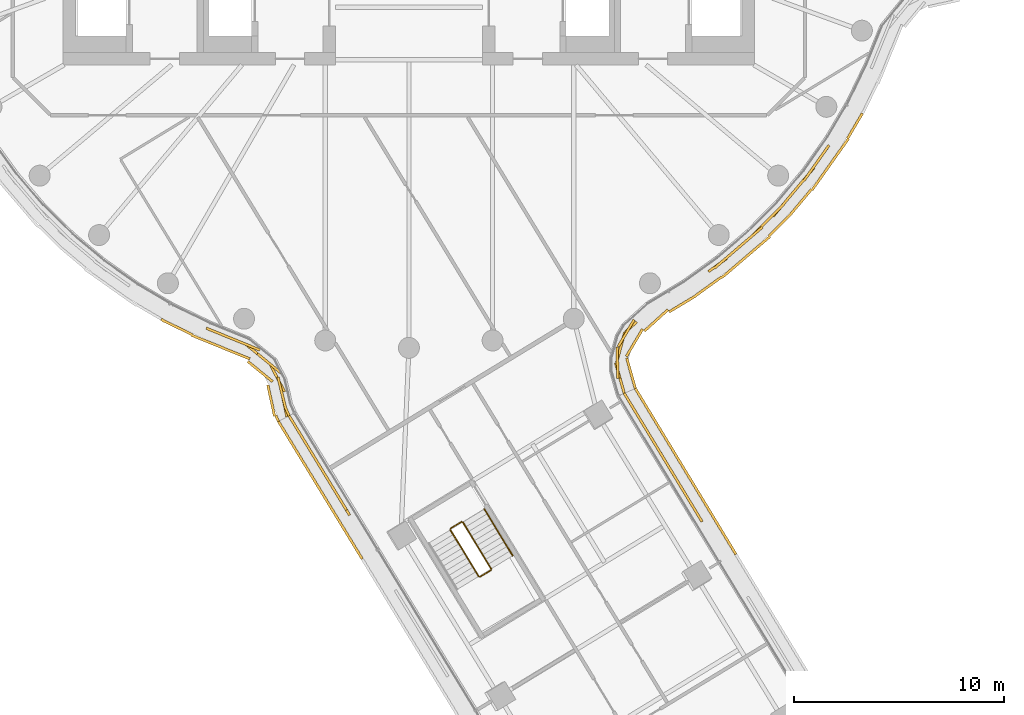
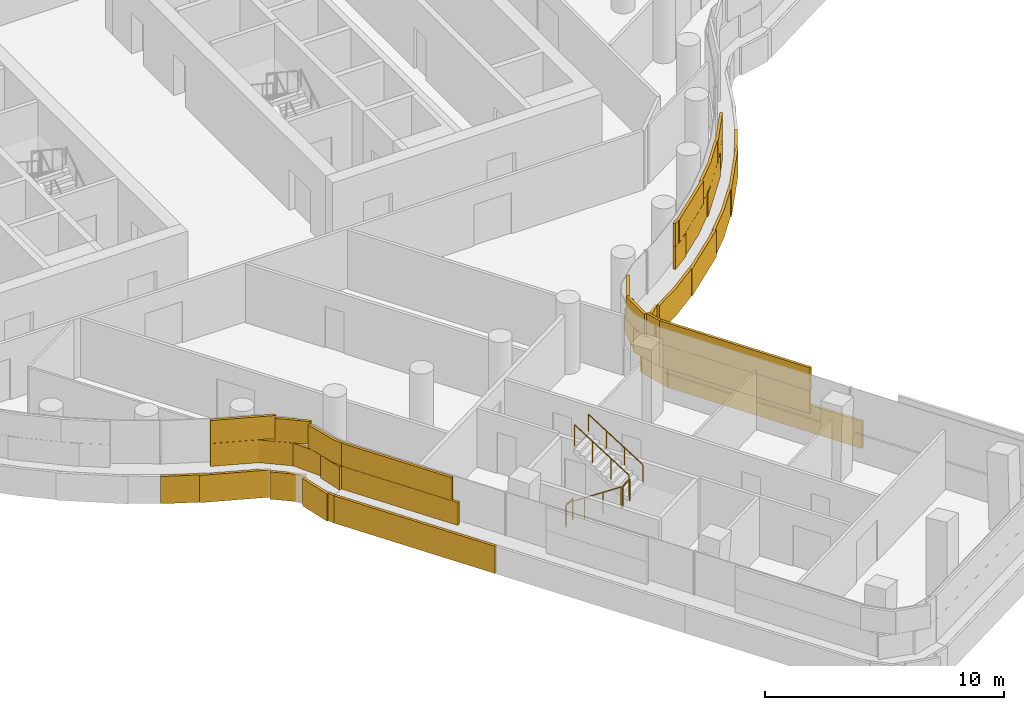
# One storey, part 28 of 35: 5 railings, 4 coverings.
"""IFC4 building model written with IfcOpenShell, lengths in metres."""

import ifcopenshell
import ifcopenshell.guid

model = None  # the IFC model being written
_history = None  # IfcOwnerHistory: only IFC2X3 demands one
_inside = {}  # id of a spatial element -> (the spatial element, [elements in it])
_under = {}  # id of a project, library or spatial element -> (it, [spatial elements below it])
_declared = {}  # id of a project -> (the project, [libraries it declares])
_typed = {}  # id of a type object -> (the type object, [elements of that type])
_made_of = {}  # id of a material, layer set ... -> (it, [elements and type objects made of it])


def new_model(schema):
    """Start an empty IFC model of exactly this schema.

    Asked for "IFC4X3", IfcOpenShell would pick the latest addendum, in which some entities
    have other attributes; the version numbers below select the first issue.
    IFC2X3 requires an IfcOwnerHistory on every rooted entity: one is made here for all.
    """
    global model, _history
    if schema == "IFC4X3":
        model = ifcopenshell.file(schema_version=(4, 3, 0, 0))
    else:
        model = ifcopenshell.file(schema=schema)
    _inside.clear()
    _under.clear()
    _declared.clear()
    _typed.clear()
    _made_of.clear()
    _history = None
    if model.schema == "IFC2X3":
        org = make("IfcOrganization", Name="unknown")
        user = make(
            "IfcPersonAndOrganization",
            ThePerson=make("IfcPerson", FamilyName="unknown"),
            TheOrganization=org,
        )
        app = make(
            "IfcApplication",
            ApplicationDeveloper=org,
            Version="unknown",
            ApplicationFullName="unknown",
            ApplicationIdentifier="unknown",
        )
        _history = make(
            "IfcOwnerHistory",
            OwningUser=user,
            OwningApplication=app,
            ChangeAction="ADDED",
            CreationDate=0,
        )
    return model


def make(cls, **values):
    """One entity of the class cls with the attributes given. An attribute that is None is left unset."""
    return model.create_entity(
        cls, **{name: value for name, value in values.items() if value is not None}
    )


def rooted(cls, **values):
    """An entity with a GlobalId (a new one), such as an element, a storey or a relation."""
    return make(cls, GlobalId=ifcopenshell.guid.new(), OwnerHistory=_history, **values)


def si_unit(unit_type, name, prefix=None):
    """IfcSIUnit, for example si_unit("LENGTHUNIT", "METRE", prefix="MILLI")."""
    return make("IfcSIUnit", UnitType=unit_type, Prefix=prefix, Name=name)


def assignment(units):
    """IfcUnitAssignment: the units of a project."""
    return None if units is None else make("IfcUnitAssignment", Units=units)


def point(xyz):
    """IfcCartesianPoint."""
    return None if xyz is None else make("IfcCartesianPoint", Coordinates=xyz)


def direction(xyz):
    """IfcDirection."""
    return None if xyz is None else make("IfcDirection", DirectionRatios=xyz)


def frame(location, z_axis=None, x_axis=None):
    """IfcAxis2Placement3D, a coordinate frame: its origin and axes. An axis left out is left unset."""
    return make(
        "IfcAxis2Placement3D",
        Location=point(location),
        Axis=direction(z_axis),
        RefDirection=direction(x_axis),
    )


def frame_2d(location, x_axis=None):
    """IfcAxis2Placement2D, a coordinate frame in the plane: its origin and x axis."""
    return make(
        "IfcAxis2Placement2D", Location=point(location), RefDirection=direction(x_axis)
    )


def origin():
    """The frame at (0, 0, 0) with its axes left unset."""
    return frame((0.0, 0.0, 0.0))


def origin_2d():
    """The frame at (0, 0) in the plane with its x axis left unset."""
    return frame_2d((0.0, 0.0))


def place(relative_to, where):
    """IfcLocalPlacement: puts the frame where relative to a parent placement (None: the world)."""
    return make(
        "IfcLocalPlacement", PlacementRelTo=relative_to, RelativePlacement=where
    )


def context(
    kind, dimensions, precision=None, world=None, true_north=None, identifier=None
):
    """IfcGeometricRepresentationContext, for example the 3D "Model" context."""
    return make(
        "IfcGeometricRepresentationContext",
        ContextIdentifier=identifier,
        ContextType=kind,
        CoordinateSpaceDimension=dimensions,
        Precision=precision,
        WorldCoordinateSystem=world,
        TrueNorth=true_north,
    )


def subcontext(parent, identifier, kind, view, scale=None):
    """IfcGeometricRepresentationSubContext, for example "Body" below "Model"."""
    return make(
        "IfcGeometricRepresentationSubContext",
        ContextIdentifier=identifier,
        ContextType=kind,
        ParentContext=parent,
        TargetScale=scale,
        TargetView=view,
    )


def project(units=None, contexts=None):
    """IfcProject with its units and contexts."""
    return rooted(
        "IfcProject",
        Name="project",
        RepresentationContexts=contexts,
        UnitsInContext=assignment(units),
    )


def spatial(cls, under=None, at=None, **own):
    """A site, building, storey or space (cls), placed at a placement, below another one or the project."""
    s = rooted(cls, ObjectPlacement=at, **own)
    if under is not None:
        _under.setdefault(under.id(), (under, []))[1].append(s)
    return s


def profile(cls, at=None, kind="AREA", **sizes):
    """A parametric profile (cls). Its sizes go by their IFC names, for example OverallWidth=200.0."""
    return make(cls, ProfileType=kind, Position=at, **sizes)


def rectangle(**sizes):
    """IfcRectangleProfileDef."""
    return profile("IfcRectangleProfileDef", **sizes)


def circle(**sizes):
    """IfcCircleProfileDef."""
    return profile("IfcCircleProfileDef", **sizes)


def extrude(swept, where, along, depth):
    """IfcExtrudedAreaSolid: the profile swept, set in the frame where, extruded along a direction by depth."""
    return make(
        "IfcExtrudedAreaSolid",
        SweptArea=swept,
        Position=where,
        ExtrudedDirection=direction(along),
        Depth=depth,
    )


def shape(context_of_items, identifier, shape_type, items):
    """IfcShapeRepresentation: the items that make up one representation, for example the "Body"."""
    return make(
        "IfcShapeRepresentation",
        ContextOfItems=context_of_items,
        RepresentationIdentifier=identifier,
        RepresentationType=shape_type,
        Items=items,
    )


def material(Name=None, Category=None):
    """IfcMaterial."""
    return make("IfcMaterial", Name=Name, Category=Category)


def layer(
    of_material, thickness, ventilated=None, Name=None, Category=None, Priority=None
):
    """IfcMaterialLayer: one layer of a wall or slab, of a material (None: an air gap)."""
    return make(
        "IfcMaterialLayer",
        Material=of_material,
        LayerThickness=thickness,
        IsVentilated=ventilated,
        Name=Name,
        Category=Category,
        Priority=Priority,
    )


def layer_set(layers, Name=None):
    """IfcMaterialLayerSet."""
    return make("IfcMaterialLayerSet", MaterialLayers=layers, LayerSetName=Name)


def made_of(thing, what):
    """Note that an element or type object is made of a material, layer set ...; save() writes the relation."""
    if what is not None:
        _made_of.setdefault(what.id(), (what, []))[1].append(thing)
    return thing


def type_object(cls, material=None, **own):
    """A type object (cls), such as IfcWallType, which elements share."""
    return made_of(rooted(cls, **own), material)


def element(
    cls,
    number,
    at=None,
    inside=None,
    cuts=None,
    type_object=None,
    material=None,
    context=None,
    identifier="Body",
    shape_type=None,
    held_by="IfcProductDefinitionShape",
    body=None,
    shapes=None,
    **own,
):
    """One element of the class cls, such as IfcWall. Its Tag is "e" and its number.

    at: its placement. inside: the storey or other place that contains it. cuts: it is an
    opening in that element (IfcRelVoidsElement). A single representation is given by context,
    identifier, shape_type and body (its items); several are given by shapes. held_by: the class
    of the entity that holds the representations. save() writes the other relations.
    """
    e = rooted(cls, Tag="e%d" % number, ObjectPlacement=at, **own)
    if body is not None:
        shapes = [shape(context, identifier, shape_type, body)]
    if shapes is not None:
        e.Representation = make(held_by, Representations=shapes)
    if inside is not None:
        _inside.setdefault(inside.id(), (inside, []))[1].append(e)
    if cuts is not None:
        rooted(
            "IfcRelVoidsElement", RelatingBuildingElement=cuts, RelatedOpeningElement=e
        )
    if type_object is not None:
        _typed.setdefault(type_object.id(), (type_object, []))[1].append(e)
    return made_of(e, material)


def aggregate(whole, parts):
    """IfcRelAggregates: a whole, such as a stair, and the parts it consists of."""
    return rooted("IfcRelAggregates", RelatingObject=whole, RelatedObjects=parts)


def save(model, path):
    """Write the relations noted so far, then the file.

    IfcRelAggregates (storeys below a building ...), IfcRelContainedInSpatialStructure (elements
    in a storey), IfcRelDefinesByType, IfcRelAssociatesMaterial and IfcRelDeclares: one each for
    every whole, place, type object, material and project.
    """
    for whole, parts in _under.values():
        aggregate(whole, parts)
    for where, things in _inside.values():
        rooted(
            "IfcRelContainedInSpatialStructure",
            RelatedElements=things,
            RelatingStructure=where,
        )
    for kind, things in _typed.values():
        rooted("IfcRelDefinesByType", RelatedObjects=things, RelatingType=kind)
    for what, things in _made_of.values():
        rooted("IfcRelAssociatesMaterial", RelatedObjects=things, RelatingMaterial=what)
    for by, libraries in _declared.values():
        rooted("IfcRelDeclares", RelatingContext=by, RelatedDefinitions=libraries)
    model.write(path)


model = new_model("IFC4")

# Units and contexts
model_context = context("Model", 3, precision=1e-05, world=origin(), true_north=direction((0.0, 1.0)))
body_context = subcontext(model_context, "Body", "Model", "MODEL_VIEW")
ifc_project = project(units=[si_unit("LENGTHUNIT", "METRE"), si_unit("AREAUNIT", "SQUARE_METRE"), si_unit("VOLUMEUNIT", "CUBIC_METRE"), si_unit("PLANEANGLEUNIT", "RADIAN"), si_unit("MASSUNIT", "GRAM", prefix="KILO")], contexts=[model_context])

# Site, building, storey
site_placement = place(None, origin())
site = spatial("IfcSite", under=ifc_project, at=site_placement, CompositionType="ELEMENT")
building_placement = place(site_placement, origin())
building = spatial("IfcBuilding", under=site, at=building_placement, Name="Tamarind Cross Interchange Tower", CompositionType="ELEMENT")
storey_placement = place(building_placement, frame((0.0, 0.0, 148.0)))
storey = spatial("IfcBuildingStorey", under=building, at=storey_placement, Name="L36", CompositionType="ELEMENT", Elevation=148.0)

# Railings
ifc_material_1 = material(Name="Stair guard")
railing_type_1 = type_object("IfcRailingType", Name="Stair guard", PredefinedType="GUARDRAIL", material=ifc_material_1)
railing_1_placement = place(storey_placement, frame((1.9765625, -31.685302734375, 0.17041015625)))
element("IfcRailing", 1, at=railing_1_placement, inside=storey, type_object=railing_type_1, Name="L36 ST6 stair guard 1", PredefinedType="GUARDRAIL", context=body_context, shape_type="SweptSolid", body=[
    extrude(circle(Radius=0.02392578125, at=origin_2d()), frame((0.0, 0.0, 1.076171875), z_axis=(0.435025731592, -0.714258854614, 0.548258061006), x_axis=(0.854060727931, 0.520173310547, 0.0)), (0.0, 0.0, 1.0), 3.109130859375),
    extrude(circle(Radius=0.02099609375, at=origin_2d()), origin(), (0.0, 0.0, 1.0), 1.052001953125),
    extrude(circle(Radius=0.02099609375, at=origin_2d()), frame((0.450927734375, -0.740234375, 0.568115234375)), (0.0, 0.0, 1.0), 1.052001953125),
    extrude(circle(Radius=0.02099609375, at=origin_2d()), frame((0.901611328125, -1.48046875, 1.136474609375)), (0.0, 0.0, 1.0), 1.052001953125),
    extrude(circle(Radius=0.02099609375, at=origin_2d()), frame((1.3525390625, -2.220703125, 1.70458984375)), (0.0, 0.0, 1.0), 1.052001953125),
])
railing_2_placement = place(storey_placement, frame((3.397705078125, -33.922607421875, 1.875)))
element("IfcRailing", 2, at=railing_2_placement, inside=storey, type_object=railing_type_1, Name="L36 ST6 stair guard 2", PredefinedType="GUARDRAIL", context=body_context, shape_type="SweptSolid", body=[
    extrude(circle(Radius=0.02392578125, at=origin_2d()), frame((0.0, 0.0, 1.076171875), z_axis=(0.854135686467, 0.520050217868, 0.0), x_axis=(-0.520050217868, 0.854135686467, 0.0)), (0.0, 0.0, 1.0), 0.599853515625),
    extrude(circle(Radius=0.02099609375, at=origin_2d()), origin(), (0.0, 0.0, 1.0), 1.052001953125),
    extrude(circle(Radius=0.02099609375, at=origin_2d()), frame((0.512451171875, 0.31201171875, 0.0)), (0.0, 0.0, 1.0), 1.052001953125),
])
railing_3_placement = place(storey_placement, frame((3.9267578125, -33.541748046875, 2.04541015625)))
element("IfcRailing", 3, at=railing_3_placement, inside=storey, type_object=railing_type_1, Name="L36 ST6 stair guard 3", PredefinedType="GUARDRAIL", context=body_context, shape_type="SweptSolid", body=[
    extrude(circle(Radius=0.02392578125, at=origin_2d()), frame((0.0, 0.0, 1.076171875), z_axis=(-0.434986462403, 0.714244787066, 0.548307542968), x_axis=(-0.854077037079, -0.520146531983, 0.0)), (0.0, 0.0, 1.0), 3.10888671875),
    extrude(circle(Radius=0.02099609375, at=origin_2d()), origin(), (0.0, 0.0, 1.0), 1.052001953125),
    extrude(circle(Radius=0.02099609375, at=origin_2d()), frame((-0.45068359375, 0.740234375, 0.568115234375)), (0.0, 0.0, 1.0), 1.052001953125),
    extrude(circle(Radius=0.02099609375, at=origin_2d()), frame((-0.901611328125, 1.480224609375, 1.136474609375)), (0.0, 0.0, 1.0), 1.052001953125),
    extrude(circle(Radius=0.02099609375, at=origin_2d()), frame((-1.352294921875, 2.220458984375, 1.70458984375)), (0.0, 0.0, 1.0), 1.052001953125),
])
railing_4_placement = place(storey_placement, frame((1.9931640625, -31.61669921875, 0.0)))
element("IfcRailing", 4, at=railing_4_placement, inside=storey, type_object=railing_type_1, Name="L36 ST6 stair guard 4", PredefinedType="GUARDRAIL", context=body_context, shape_type="SweptSolid", body=[
    extrude(circle(Radius=0.02392578125, at=origin_2d()), frame((0.0, 0.0, 1.076171875), z_axis=(0.853954919708, 0.520346994905, 0.0), x_axis=(-0.520346994905, 0.853954919708, 0.0)), (0.0, 0.0, 1.0), 0.60009765625),
    extrude(circle(Radius=0.02099609375, at=origin_2d()), origin(), (0.0, 0.0, 1.0), 1.052001953125),
    extrude(circle(Radius=0.02099609375, at=origin_2d()), frame((0.512451171875, 0.312255859375, 0.0)), (0.0, 0.0, 1.0), 1.052001953125),
])
ifc_material_2 = material(Name="Stair handrail")
railing_type_2 = type_object("IfcRailingType", Name="Stair handrail", PredefinedType="HANDRAIL", material=ifc_material_2)
railing_5_placement = place(storey_placement, frame((4.95166015625, -32.91748046875, 2.04541015625)))
element("IfcRailing", 5, at=railing_5_placement, inside=storey, type_object=railing_type_2, Name="L36 ST6 stair handrail 2", PredefinedType="HANDRAIL", context=body_context, shape_type="SweptSolid", body=[
    extrude(circle(Radius=0.02392578125, at=origin_2d()), frame((0.0, 0.0, 0.8759765625), z_axis=(-0.435050131513, 0.714220387385, 0.548288811954), x_axis=(-0.854035318984, -0.520215026627, 0.0)), (0.0, 0.0, 1.0), 3.10888671875),
    extrude(circle(Radius=0.02099609375, at=origin_2d()), origin(), (0.0, 0.0, 1.0), 0.851806640625),
    extrude(circle(Radius=0.02099609375, at=origin_2d()), frame((-0.450927734375, 0.740234375, 0.568115234375)), (0.0, 0.0, 1.0), 0.851806640625),
    extrude(circle(Radius=0.02099609375, at=origin_2d()), frame((-0.901611328125, 1.480224609375, 1.136474609375)), (0.0, 0.0, 1.0), 0.851806640625),
    extrude(circle(Radius=0.02099609375, at=origin_2d()), frame((-1.3525390625, 2.220458984375, 1.70458984375)), (0.0, 0.0, 1.0), 0.851806640625),
])

# Coverings
ifc_material_3 = material(Name="Terracotta", Category="masonry")
ifc_layer = layer(ifc_material_3, 0.1201171875)
ifc_layer_set = layer_set([ifc_layer], Name="Terracotta")
covering_type = type_object("IfcCoveringType", Name="Terracotta baguette screen unit", PredefinedType="MOLDING", material=ifc_layer_set)
covering_1_placement = place(storey_placement, origin())
element("IfcCovering", 6, at=covering_1_placement, inside=storey, type_object=covering_type, Name="SCR-L36-02-01", PredefinedType="MOLDING", context=body_context, shape_type="SweptSolid", body=[
    extrude(rectangle(XDim=0.5107421875, YDim=0.1201171875, at=origin_2d()), frame((-9.43115234375, -22.159423828125, 1.404052734375), z_axis=(0.0, 0.0, 1.0), x_axis=(0.92620693813, -0.377015527214, 0.0)), (0.0, 0.0, 1.0), 1.1669921875),
    extrude(rectangle(XDim=1.52001953125, YDim=0.1201171875, at=origin_2d()), frame((-8.50439453125, -22.53662109375, 1.404052734375), z_axis=(0.0, 0.0, 1.0), x_axis=(0.92620693813, -0.377015527214, 0.0)), (0.0, 0.0, 1.0), 1.1669921875),
    extrude(rectangle(XDim=1.52001953125, YDim=0.1201171875, at=origin_2d()), frame((-7.2236328125, -23.28515625, 1.404052734375), z_axis=(0.0, 0.0, 1.0), x_axis=(0.774710266582, -0.632316378763, 0.0)), (0.0, 0.0, 1.0), 1.1669921875),
    extrude(rectangle(XDim=1.52001953125, YDim=0.1201171875, at=origin_2d()), frame((-6.289306640625, -24.418701171875, 1.404052734375), z_axis=(0.0, 0.0, 1.0), x_axis=(0.461966966478, -0.886897131511, 0.0)), (0.0, 0.0, 1.0), 1.1669921875),
    extrude(rectangle(XDim=1.18408203125, YDim=0.1201171875, at=origin_2d()), frame((-5.943603515625, -25.705078125, 1.404052734375), z_axis=(0.0, 0.0, 1.0), x_axis=(0.211203132854, -0.977442190962, 0.0)), (0.0, 0.0, 1.0), 1.1669921875),
    extrude(rectangle(XDim=1.2607421875, YDim=0.1201171875, at=origin_2d()), frame((-9.083740234375, -22.30078125, 2.5791015625), z_axis=(0.0, 0.0, 1.0), x_axis=(0.92620693813, -0.377015527214, 0.0)), (0.0, 0.0, 1.0), 1.1669921875),
    extrude(rectangle(XDim=1.52001953125, YDim=0.1201171875, at=origin_2d()), frame((-7.809814453125, -22.8193359375, 2.5791015625), z_axis=(0.0, 0.0, 1.0), x_axis=(0.92620693813, -0.377015527214, 0.0)), (0.0, 0.0, 1.0), 1.1669921875),
    extrude(rectangle(XDim=1.52001953125, YDim=0.1201171875, at=origin_2d()), frame((-6.642822265625, -23.75927734375, 2.5791015625), z_axis=(0.0, 0.0, 1.0), x_axis=(0.774710266582, -0.632316378763, 0.0)), (0.0, 0.0, 1.0), 1.1669921875),
    extrude(rectangle(XDim=1.52001953125, YDim=0.1201171875, at=origin_2d()), frame((-6.069091796875, -25.131591796875, 2.5791015625), z_axis=(0.0, 0.0, 1.0), x_axis=(0.238376448652, -0.971172831543, 0.0)), (0.0, 0.0, 1.0), 1.1669921875),
    extrude(rectangle(XDim=0.43408203125, YDim=0.1201171875, at=origin_2d()), frame((-5.8017578125, -26.05126953125, 2.5791015625), z_axis=(0.0, 0.0, 1.0), x_axis=(0.404247815874, -0.914649497546, 0.0)), (0.0, 0.0, 1.0), 1.1669921875),
    extrude(rectangle(XDim=0.138427734375, YDim=0.1201171875, at=origin_2d()), frame((-11.75927734375, -21.67041015625, 0.00390625), z_axis=(0.0, 0.0, 1.0), x_axis=(0.861248933065, -0.508183308752, 0.0)), (0.0, 0.0, 1.0), 1.39208984375),
    extrude(rectangle(XDim=1.52001953125, YDim=0.1201171875, at=origin_2d()), frame((-11.035888671875, -22.032470703125, 0.00390625), z_axis=(0.0, 0.0, 1.0), x_axis=(0.900272776334, -0.435326231914, 0.0)), (0.0, 0.0, 1.0), 1.39208984375),
    extrude(rectangle(XDim=1.52001953125, YDim=0.1201171875, at=origin_2d()), frame((-9.681884765625, -22.677001953125, 0.00390625), z_axis=(0.0, 0.0, 1.0), x_axis=(0.92620693813, -0.377015527214, 0.0)), (0.0, 0.0, 1.0), 1.39208984375),
    extrude(rectangle(XDim=1.52001953125, YDim=0.1201171875, at=origin_2d()), frame((-8.29248046875, -23.24267578125, 0.00390625), z_axis=(0.0, 0.0, 1.0), x_axis=(0.92620693813, -0.377015527214, 0.0)), (0.0, 0.0, 1.0), 1.39208984375),
    extrude(rectangle(XDim=1.52001953125, YDim=0.1201171875, at=origin_2d()), frame((-7.094970703125, -24.131103515625, 0.00390625), z_axis=(0.0, 0.0, 1.0), x_axis=(0.774710266582, -0.632316378763, 0.0)), (0.0, 0.0, 1.0), 1.39208984375),
    extrude(rectangle(XDim=1.52001953125, YDim=0.1201171875, at=origin_2d()), frame((-6.570556640625, -25.521484375, 0.00390625), z_axis=(0.0, 0.0, 1.0), x_axis=(0.211203132854, -0.977442190962, 0.0)), (0.0, 0.0, 1.0), 1.39208984375),
    extrude(rectangle(XDim=0.313720703125, YDim=0.1201171875, at=origin_2d()), frame((-6.2890625, -26.3681640625, 0.00390625), z_axis=(0.0, 0.0, 1.0), x_axis=(0.404247815874, -0.914649497546, 0.0)), (0.0, 0.0, 1.0), 1.39208984375),
])
covering_2_placement = place(storey_placement, origin())
element("IfcCovering", 7, at=covering_2_placement, inside=storey, type_object=covering_type, Name="SCR-L36-03-00", PredefinedType="MOLDING", context=body_context, shape_type="SweptSolid", body=[
    extrude(rectangle(XDim=1.510009765625, YDim=0.1201171875, at=origin_2d()), frame((-5.325927734375, -26.8857421875, 1.404052734375), z_axis=(0.0, 0.0, 1.0), x_axis=(0.520175135901, -0.854059616181, 0.0)), (0.0, 0.0, 1.0), 1.1669921875),
    extrude(rectangle(XDim=1.52001953125, YDim=0.1201171875, at=origin_2d()), frame((-4.545654296875, -28.166748046875, 1.404052734375), z_axis=(0.0, 0.0, 1.0), x_axis=(0.520175135901, -0.854059616181, 0.0)), (0.0, 0.0, 1.0), 1.1669921875),
    extrude(rectangle(XDim=1.52001953125, YDim=0.1201171875, at=origin_2d()), frame((-3.765380859375, -29.447998046875, 1.404052734375), z_axis=(0.0, 0.0, 1.0), x_axis=(0.520175135901, -0.854059616181, 0.0)), (0.0, 0.0, 1.0), 1.1669921875),
    extrude(rectangle(XDim=1.05712890625, YDim=0.1201171875, at=origin_2d()), frame((-3.102783203125, -30.53564453125, 1.404052734375), z_axis=(0.0, 0.0, 1.0), x_axis=(0.520175135901, -0.854059616181, 0.0)), (0.0, 0.0, 1.0), 1.1669921875),
    extrude(rectangle(XDim=0.760009765625, YDim=0.1201171875, at=origin_2d()), frame((-5.520751953125, -26.5654296875, 2.5791015625), z_axis=(0.0, 0.0, 1.0), x_axis=(0.520175135901, -0.854059616181, 0.0)), (0.0, 0.0, 1.0), 1.1669921875),
    extrude(rectangle(XDim=1.52001953125, YDim=0.1201171875, at=origin_2d()), frame((-4.935791015625, -27.5263671875, 2.5791015625), z_axis=(0.0, 0.0, 1.0), x_axis=(0.520175135901, -0.854059616181, 0.0)), (0.0, 0.0, 1.0), 1.1669921875),
    extrude(rectangle(XDim=1.52001953125, YDim=0.1201171875, at=origin_2d()), frame((-4.155517578125, -28.807373046875, 2.5791015625), z_axis=(0.0, 0.0, 1.0), x_axis=(0.520175135901, -0.854059616181, 0.0)), (0.0, 0.0, 1.0), 1.1669921875),
    extrude(rectangle(XDim=1.52001953125, YDim=0.1201171875, at=origin_2d()), frame((-3.375244140625, -30.08837890625, 2.5791015625), z_axis=(0.0, 0.0, 1.0), x_axis=(0.520175135901, -0.854059616181, 0.0)), (0.0, 0.0, 1.0), 1.1669921875),
    extrude(rectangle(XDim=1.510009765625, YDim=0.1201171875, at=origin_2d()), frame((-5.8330078125, -27.156494140625, 0.00390625), z_axis=(0.0, 0.0, 1.0), x_axis=(0.520175135901, -0.854059616181, 0.0)), (0.0, 0.0, 1.0), 1.39208984375),
    extrude(rectangle(XDim=1.52001953125, YDim=0.1201171875, at=origin_2d()), frame((-5.055419921875, -28.433349609375, 0.00390625), z_axis=(0.0, 0.0, 1.0), x_axis=(0.520175135901, -0.854059616181, 0.0)), (0.0, 0.0, 1.0), 1.39208984375),
    extrude(rectangle(XDim=1.52001953125, YDim=0.1201171875, at=origin_2d()), frame((-4.275146484375, -29.71435546875, 0.00390625), z_axis=(0.0, 0.0, 1.0), x_axis=(0.520175135901, -0.854059616181, 0.0)), (0.0, 0.0, 1.0), 1.39208984375),
    extrude(rectangle(XDim=1.52001953125, YDim=0.1201171875, at=origin_2d()), frame((-3.494873046875, -30.995361328125, 0.00390625), z_axis=(0.0, 0.0, 1.0), x_axis=(0.520175135901, -0.854059616181, 0.0)), (0.0, 0.0, 1.0), 1.39208984375),
    extrude(rectangle(XDim=1.52001953125, YDim=0.1201171875, at=origin_2d()), frame((-2.714599609375, -32.276611328125, 0.00390625), z_axis=(0.0, 0.0, 1.0), x_axis=(0.520175135901, -0.854059616181, 0.0)), (0.0, 0.0, 1.0), 1.39208984375),
    extrude(rectangle(XDim=0.191650390625, YDim=0.1201171875, at=origin_2d()), frame((-2.27978515625, -32.990478515625, 0.00390625), z_axis=(0.0, 0.0, 1.0), x_axis=(0.520175135901, -0.854059616181, 0.0)), (0.0, 0.0, 1.0), 1.39208984375),
])
covering_3_placement = place(storey_placement, origin())
element("IfcCovering", 8, at=covering_3_placement, inside=storey, type_object=covering_type, Name="SCR-L36-05-01", PredefinedType="MOLDING", context=body_context, shape_type="SweptSolid", body=[
    extrude(rectangle(XDim=1.52001953125, YDim=0.1201171875, at=origin_2d()), frame((13.589599609375, -30.63818359375, 1.404052734375), z_axis=(0.0, 0.0, 1.0), x_axis=(-0.518424670848, 0.855123301434, 0.0)), (0.0, 0.0, 1.0), 1.1669921875),
    extrude(rectangle(XDim=1.52001953125, YDim=0.1201171875, at=origin_2d()), frame((12.81201171875, -29.35546875, 1.404052734375), z_axis=(0.0, 0.0, 1.0), x_axis=(-0.518424670848, 0.855123301434, 0.0)), (0.0, 0.0, 1.0), 1.1669921875),
    extrude(rectangle(XDim=1.52001953125, YDim=0.1201171875, at=origin_2d()), frame((12.034423828125, -28.07275390625, 1.404052734375), z_axis=(0.0, 0.0, 1.0), x_axis=(-0.518424670848, 0.855123301434, 0.0)), (0.0, 0.0, 1.0), 1.1669921875),
    extrude(rectangle(XDim=1.52001953125, YDim=0.1201171875, at=origin_2d()), frame((11.2568359375, -26.7900390625, 1.404052734375), z_axis=(0.0, 0.0, 1.0), x_axis=(-0.518424670848, 0.855123301434, 0.0)), (0.0, 0.0, 1.0), 1.1669921875),
    extrude(rectangle(XDim=1.155029296875, YDim=0.1201171875, at=origin_2d()), frame((10.571044921875, -25.6591796875, 1.404052734375), z_axis=(0.0, 0.0, 1.0), x_axis=(-0.518424670848, 0.855123301434, 0.0)), (0.0, 0.0, 1.0), 1.1669921875),
    extrude(rectangle(XDim=0.775634765625, YDim=0.1201171875, at=origin_2d()), frame((13.7880859375, -30.965576171875, 2.5791015625), z_axis=(0.0, 0.0, 1.0), x_axis=(-0.518424670848, 0.855123301434, 0.0)), (0.0, 0.0, 1.0), 1.1669921875),
    extrude(rectangle(XDim=1.52001953125, YDim=0.1201171875, at=origin_2d()), frame((13.200927734375, -29.996826171875, 2.5791015625), z_axis=(0.0, 0.0, 1.0), x_axis=(-0.518424670848, 0.855123301434, 0.0)), (0.0, 0.0, 1.0), 1.1669921875),
    extrude(rectangle(XDim=1.52001953125, YDim=0.1201171875, at=origin_2d()), frame((12.42333984375, -28.714111328125, 2.5791015625), z_axis=(0.0, 0.0, 1.0), x_axis=(-0.518424670848, 0.855123301434, 0.0)), (0.0, 0.0, 1.0), 1.1669921875),
    extrude(rectangle(XDim=1.52001953125, YDim=0.1201171875, at=origin_2d()), frame((11.6455078125, -27.431396484375, 2.5791015625), z_axis=(0.0, 0.0, 1.0), x_axis=(-0.518424670848, 0.855123301434, 0.0)), (0.0, 0.0, 1.0), 1.1669921875),
    extrude(rectangle(XDim=1.52001953125, YDim=0.1201171875, at=origin_2d()), frame((10.867919921875, -26.14892578125, 2.5791015625), z_axis=(0.0, 0.0, 1.0), x_axis=(-0.518424670848, 0.855123301434, 0.0)), (0.0, 0.0, 1.0), 1.1669921875),
    extrude(rectangle(XDim=0.405029296875, YDim=0.1201171875, at=origin_2d()), frame((10.376708984375, -25.338623046875, 2.5791015625), z_axis=(0.0, 0.0, 1.0), x_axis=(-0.518424670848, 0.855123301434, 0.0)), (0.0, 0.0, 1.0), 1.1669921875),
    extrude(rectangle(XDim=0.626708984375, YDim=0.1201171875, at=origin_2d()), frame((15.443115234375, -32.588134765625, 0.00390625), z_axis=(0.0, 0.0, 1.0), x_axis=(-0.518424670848, 0.855123301434, 0.0)), (0.0, 0.0, 1.0), 1.39208984375),
    extrude(rectangle(XDim=1.52001953125, YDim=0.1201171875, at=origin_2d()), frame((14.89697265625, -31.6875, 0.00390625), z_axis=(0.0, 0.0, 1.0), x_axis=(-0.518424670848, 0.855123301434, 0.0)), (0.0, 0.0, 1.0), 1.39208984375),
    extrude(rectangle(XDim=1.52001953125, YDim=0.1201171875, at=origin_2d()), frame((14.119384765625, -30.40478515625, 0.00390625), z_axis=(0.0, 0.0, 1.0), x_axis=(-0.518424670848, 0.855123301434, 0.0)), (0.0, 0.0, 1.0), 1.39208984375),
    extrude(rectangle(XDim=1.52001953125, YDim=0.1201171875, at=origin_2d()), frame((13.341796875, -29.1220703125, 0.00390625), z_axis=(0.0, 0.0, 1.0), x_axis=(-0.518424670848, 0.855123301434, 0.0)), (0.0, 0.0, 1.0), 1.39208984375),
    extrude(rectangle(XDim=1.52001953125, YDim=0.1201171875, at=origin_2d()), frame((12.564208984375, -27.83935546875, 0.00390625), z_axis=(0.0, 0.0, 1.0), x_axis=(-0.518424670848, 0.855123301434, 0.0)), (0.0, 0.0, 1.0), 1.39208984375),
    extrude(rectangle(XDim=1.52001953125, YDim=0.1201171875, at=origin_2d()), frame((11.786376953125, -26.556640625, 0.00390625), z_axis=(0.0, 0.0, 1.0), x_axis=(-0.518424670848, 0.855123301434, 0.0)), (0.0, 0.0, 1.0), 1.39208984375),
    extrude(rectangle(XDim=1.152587890625, YDim=0.1201171875, at=origin_2d()), frame((11.10400390625, -25.43115234375, 0.00390625), z_axis=(0.0, 0.0, 1.0), x_axis=(-0.518424670848, 0.855123301434, 0.0)), (0.0, 0.0, 1.0), 1.39208984375),
])
covering_4_placement = place(storey_placement, origin())
element("IfcCovering", 9, at=covering_4_placement, inside=storey, type_object=covering_type, Name="SCR-L36-06-00", PredefinedType="MOLDING", context=body_context, shape_type="SweptSolid", body=[
    extrude(rectangle(XDim=1.510009765625, YDim=0.1201171875, at=origin_2d()), frame((10.0693359375, -24.4482421875, 1.404052734375), z_axis=(0.0, 0.0, 1.0), x_axis=(-0.273234711933, 0.961947395752, 0.0)), (0.0, 0.0, 1.0), 1.1669921875),
    extrude(rectangle(XDim=1.52001953125, YDim=0.1201171875, at=origin_2d()), frame((10.1025390625, -22.984130859375, 1.404052734375), z_axis=(0.0, 0.0, 1.0), x_axis=(0.260798939915, 0.965393139057, 0.0)), (0.0, 0.0, 1.0), 1.1669921875),
    extrude(rectangle(XDim=0.739990234375, YDim=0.1201171875, at=origin_2d()), frame((10.59521484375, -22.0078125, 1.404052734375), z_axis=(0.0, 0.0, 1.0), x_axis=(0.740492467993, 0.672064658233, 0.0)), (0.0, 0.0, 1.0), 1.1669921875),
    extrude(rectangle(XDim=1.079833984375, YDim=0.1201171875, at=origin_2d()), frame((14.730224609375, -19.048095703125, 1.404052734375), z_axis=(0.0, 0.0, 1.0), x_axis=(0.811340475102, 0.584573890505, 0.0)), (0.0, 0.0, 1.0), 1.1669921875),
    extrude(rectangle(XDim=1.52001953125, YDim=0.1201171875, at=origin_2d()), frame((15.71630859375, -18.22509765625, 1.404052734375), z_axis=(0.0, 0.0, 1.0), x_axis=(0.760295606781, 0.64957723968, 0.0)), (0.0, 0.0, 1.0), 1.1669921875),
    extrude(rectangle(XDim=1.52001953125, YDim=0.1201171875, at=origin_2d()), frame((16.822021484375, -17.213623046875, 1.404052734375), z_axis=(0.0, 0.0, 1.0), x_axis=(0.704057148523, 0.710143317658, 0.0)), (0.0, 0.0, 1.0), 1.1669921875),
    extrude(rectangle(XDim=1.52001953125, YDim=0.1201171875, at=origin_2d()), frame((17.87060546875, -16.141357421875, 1.404052734375), z_axis=(0.0, 0.0, 1.0), x_axis=(0.643009266048, 0.765858396687, 0.0)), (0.0, 0.0, 1.0), 1.1669921875),
    extrude(rectangle(XDim=1.52001953125, YDim=0.1201171875, at=origin_2d()), frame((18.835205078125, -14.99267578125, 1.404052734375), z_axis=(0.0, 0.0, 1.0), x_axis=(0.643009266048, 0.765858396687, 0.0)), (0.0, 0.0, 1.0), 1.1669921875),
    extrude(rectangle(XDim=1.30908203125, YDim=0.1201171875, at=origin_2d()), frame((19.66748046875, -13.86865234375, 1.404052734375), z_axis=(0.0, 0.0, 1.0), x_axis=(0.577568978284, 0.816341886298, 0.0)), (0.0, 0.0, 1.0), 1.1669921875),
    extrude(rectangle(XDim=0.760009765625, YDim=0.1201171875, at=origin_2d()), frame((10.171875, -24.808837890625, 2.5791015625), z_axis=(0.0, 0.0, 1.0), x_axis=(-0.273234711933, 0.961947395752, 0.0)), (0.0, 0.0, 1.0), 1.1669921875),
    extrude(rectangle(XDim=1.52001953125, YDim=0.1201171875, at=origin_2d()), frame((9.952392578125, -23.714111328125, 2.5791015625), z_axis=(0.0, 0.0, 1.0), x_axis=(-0.006452161906, 0.999979184587, 0.0)), (0.0, 0.0, 1.0), 1.1669921875),
    extrude(rectangle(XDim=1.489990234375, YDim=0.1201171875, at=origin_2d()), frame((10.366455078125, -22.2998046875, 2.5791015625), z_axis=(0.0, 0.0, 1.0), x_axis=(0.509110993291, 0.860700875166, 0.0)), (0.0, 0.0, 1.0), 1.1669921875),
    extrude(rectangle(XDim=0.329833984375, YDim=0.1201171875, at=origin_2d()), frame((14.426025390625, -19.267333984375, 2.5791015625), z_axis=(0.0, 0.0, 1.0), x_axis=(0.811340475102, 0.584573890505, 0.0)), (0.0, 0.0, 1.0), 1.1669921875),
    extrude(rectangle(XDim=1.52001953125, YDim=0.1201171875, at=origin_2d()), frame((15.14599609375, -18.71240234375, 2.5791015625), z_axis=(0.0, 0.0, 1.0), x_axis=(0.760295606781, 0.64957723968, 0.0)), (0.0, 0.0, 1.0), 1.1669921875),
    extrude(rectangle(XDim=1.52001953125, YDim=0.1201171875, at=origin_2d()), frame((16.286376953125, -17.738037109375, 2.5791015625), z_axis=(0.0, 0.0, 1.0), x_axis=(0.760295606781, 0.64957723968, 0.0)), (0.0, 0.0, 1.0), 1.1669921875),
    extrude(rectangle(XDim=1.52001953125, YDim=0.1201171875, at=origin_2d()), frame((17.35009765625, -16.680908203125, 2.5791015625), z_axis=(0.0, 0.0, 1.0), x_axis=(0.704057148523, 0.710143317658, 0.0)), (0.0, 0.0, 1.0), 1.1669921875),
    extrude(rectangle(XDim=1.52001953125, YDim=0.1201171875, at=origin_2d()), frame((18.352783203125, -15.567138671875, 2.5791015625), z_axis=(0.0, 0.0, 1.0), x_axis=(0.643009266048, 0.765858396687, 0.0)), (0.0, 0.0, 1.0), 1.1669921875),
    extrude(rectangle(XDim=1.52001953125, YDim=0.1201171875, at=origin_2d()), frame((19.292236328125, -14.39892578125, 2.5791015625), z_axis=(0.0, 0.0, 1.0), x_axis=(0.577568978284, 0.816341886298, 0.0)), (0.0, 0.0, 1.0), 1.1669921875),
    extrude(rectangle(XDim=0.55908203125, YDim=0.1201171875, at=origin_2d()), frame((19.884033203125, -13.5625, 2.5791015625), z_axis=(0.0, 0.0, 1.0), x_axis=(0.577568978284, 0.816341886298, 0.0)), (0.0, 0.0, 1.0), 1.1669921875),
    extrude(rectangle(XDim=1.510009765625, YDim=0.1201171875, at=origin_2d()), frame((10.59912109375, -24.2119140625, 0.00390625), z_axis=(0.0, 0.0, 1.0), x_axis=(-0.273234711933, 0.961947395752, 0.0)), (0.0, 0.0, 1.0), 1.39208984375),
    extrude(rectangle(XDim=1.52001953125, YDim=0.1201171875, at=origin_2d()), frame((10.76171875, -22.75927734375, 0.00390625), z_axis=(0.0, 0.0, 1.0), x_axis=(0.509110993291, 0.860700875166, 0.0)), (0.0, 0.0, 1.0), 1.39208984375),
    extrude(rectangle(XDim=1.52001953125, YDim=0.1201171875, at=origin_2d()), frame((11.79833984375, -21.690673828125, 0.00390625), z_axis=(0.0, 0.0, 1.0), x_axis=(0.740492467993, 0.672064658233, 0.0)), (0.0, 0.0, 1.0), 1.39208984375),
    extrude(rectangle(XDim=1.52001953125, YDim=0.1201171875, at=origin_2d()), frame((13.066162109375, -20.893798828125, 0.00390625), z_axis=(0.0, 0.0, 1.0), x_axis=(0.856843065292, 0.515577308909, 0.0)), (0.0, 0.0, 1.0), 1.39208984375),
    extrude(rectangle(XDim=1.52001953125, YDim=0.1201171875, at=origin_2d()), frame((14.310302734375, -20.05810546875, 0.00390625), z_axis=(0.0, 0.0, 1.0), x_axis=(0.811340475102, 0.584573890505, 0.0)), (0.0, 0.0, 1.0), 1.39208984375),
    extrude(rectangle(XDim=1.52001953125, YDim=0.1201171875, at=origin_2d()), frame((15.5087890625, -19.157470703125, 0.00390625), z_axis=(0.0, 0.0, 1.0), x_axis=(0.760295606781, 0.64957723968, 0.0)), (0.0, 0.0, 1.0), 1.39208984375),
    extrude(rectangle(XDim=1.52001953125, YDim=0.1201171875, at=origin_2d()), frame((16.649169921875, -18.18310546875, 0.00390625), z_axis=(0.0, 0.0, 1.0), x_axis=(0.760295606781, 0.64957723968, 0.0)), (0.0, 0.0, 1.0), 1.39208984375),
    extrude(rectangle(XDim=1.52001953125, YDim=0.1201171875, at=origin_2d()), frame((17.71484375, -17.12841796875, 0.00390625), z_axis=(0.0, 0.0, 1.0), x_axis=(0.704057148523, 0.710143317658, 0.0)), (0.0, 0.0, 1.0), 1.39208984375),
    extrude(rectangle(XDim=1.52001953125, YDim=0.1201171875, at=origin_2d()), frame((18.722900390625, -16.01904296875, 0.00390625), z_axis=(0.0, 0.0, 1.0), x_axis=(0.643009266048, 0.765858396687, 0.0)), (0.0, 0.0, 1.0), 1.39208984375),
    extrude(rectangle(XDim=1.52001953125, YDim=0.1201171875, at=origin_2d()), frame((19.6708984375, -14.857666015625, 0.00390625), z_axis=(0.0, 0.0, 1.0), x_axis=(0.577568978284, 0.816341886298, 0.0)), (0.0, 0.0, 1.0), 1.39208984375),
    extrude(rectangle(XDim=1.52001953125, YDim=0.1201171875, at=origin_2d()), frame((20.537109375, -13.633056640625, 0.00390625), z_axis=(0.0, 0.0, 1.0), x_axis=(0.577568978284, 0.816341886298, 0.0)), (0.0, 0.0, 1.0), 1.39208984375),
    extrude(rectangle(XDim=1.381591796875, YDim=0.1201171875, at=origin_2d()), frame((21.2841796875, -12.413818359375, 0.00390625), z_axis=(0.0, 0.0, 1.0), x_axis=(0.508183308752, 0.861248933065, 0.0)), (0.0, 0.0, 1.0), 1.39208984375),
])

save(model, "model.ifc")
